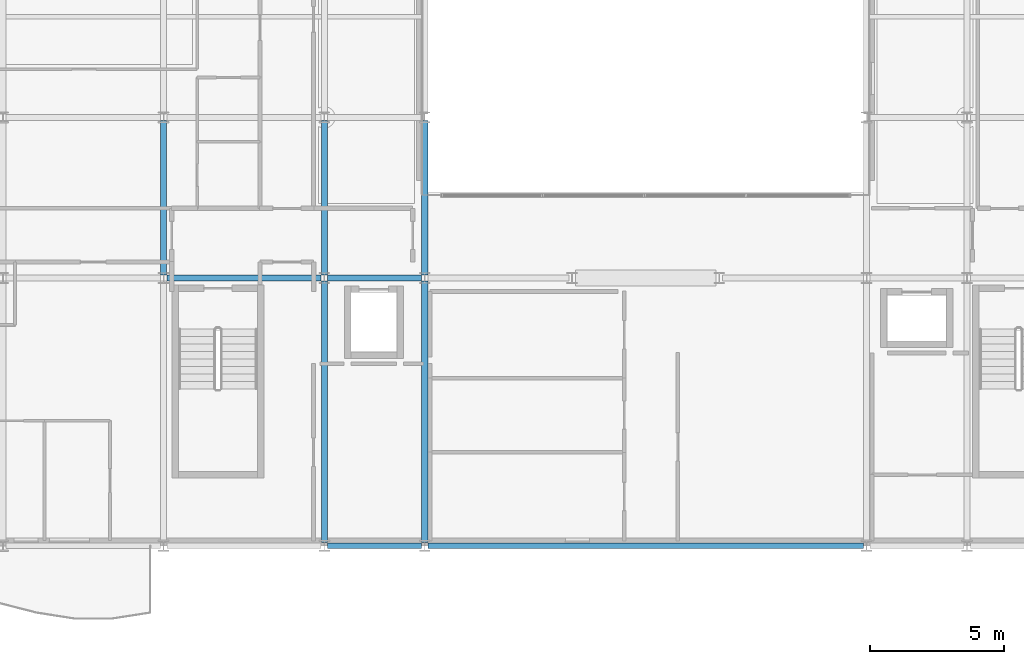
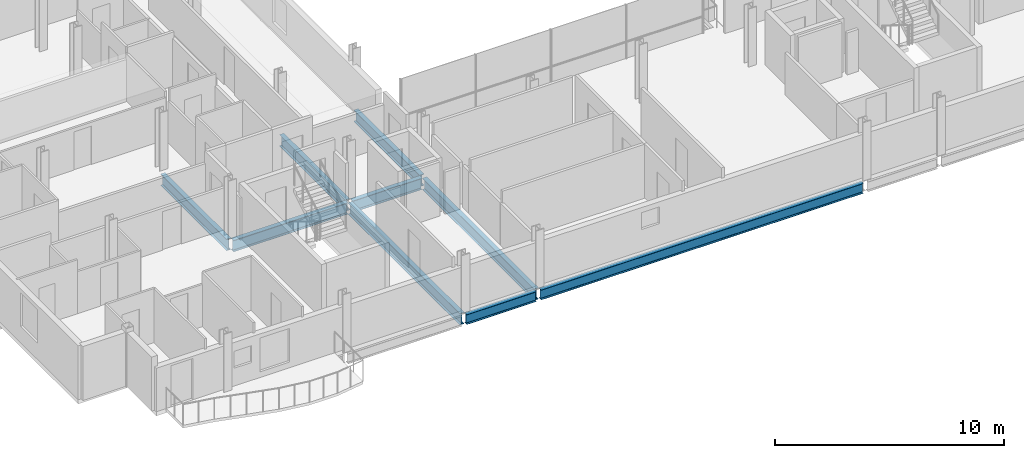
# One storey, part 5 of 41: 9 beams.
"""IFC4 building model written with IfcOpenShell, lengths in metres."""

from ifc_helpers import new_model, si_unit, direction, frame, origin, origin_2d, place, context, subcontext, project, spatial, i_section, extrude, material, material_profile, profile_set, type_object, element, save


model = new_model("IFC4")

# Units and contexts
model_context = context("Model", 3, precision=1e-05, world=origin(), true_north=direction((0.0, 1.0)))
body_context = subcontext(model_context, "Body", "Model", "MODEL_VIEW")
ifc_project = project(units=[si_unit("LENGTHUNIT", "METRE"), si_unit("AREAUNIT", "SQUARE_METRE"), si_unit("VOLUMEUNIT", "CUBIC_METRE"), si_unit("PLANEANGLEUNIT", "RADIAN"), si_unit("MASSUNIT", "GRAM", prefix="KILO")], contexts=[model_context])

# Site, building, storey
site_placement = place(None, origin())
site = spatial("IfcSite", under=ifc_project, at=site_placement, CompositionType="ELEMENT")
building_placement = place(site_placement, origin())
building = spatial("IfcBuilding", under=site, at=building_placement, Name="Brevholm Reach", CompositionType="ELEMENT")
storey_placement = place(building_placement, frame((0.0, 0.0, 163.5)))
storey = spatial("IfcBuildingStorey", under=building, at=storey_placement, Name="L49", CompositionType="ELEMENT", Elevation=163.5)

# Beams
ifc_material_1 = material(Name="Structural Steel S355J2", Category="steel")
ifc_material_profile_1 = material_profile(ifc_material_1, i_section(OverallWidth=0.209228515625, OverallDepth=0.533203125, WebThickness=0.010009765625, FlangeThickness=0.015625, FilletRadius=0.0126953125, at=origin_2d()), Name="UKB 533x210x92")
ifc_profile_set_1 = profile_set([ifc_material_profile_1], Name="Structural Steel S355J2")
beam_type_1 = type_object("IfcBeamType", Name="BM-SP533", PredefinedType="SPANDREL", material=ifc_profile_set_1)
beam_1_placement = place(storey_placement, frame((18.1201171875, 0.0, -0.486572265625), z_axis=(1.0, 0.0, 0.0), x_axis=(0.0, 1.0, 0.0)))
element("IfcBeam", 1, at=beam_1_placement, inside=storey, type_object=beam_type_1, Name="L49 SP-02 Framing Beam", PredefinedType="SPANDREL", context=body_context, shape_type="SweptSolid", body=[
    extrude(i_section(OverallWidth=0.209228515625, OverallDepth=0.533203125, WebThickness=0.010009765625, FlangeThickness=0.015625, FilletRadius=0.0126953125, at=origin_2d()), origin(), (0.0, 0.0, 1.0), 3.509765625),
])
beam_2_placement = place(storey_placement, frame((21.8701171875, 0.0, -0.486572265625), z_axis=(1.0, 0.0, 0.0), x_axis=(0.0, 1.0, 0.0)))
element("IfcBeam", 2, at=beam_2_placement, inside=storey, type_object=beam_type_1, Name="L49 SP-02 Framing Beam", PredefinedType="SPANDREL", context=body_context, shape_type="SweptSolid", body=[
    extrude(i_section(OverallWidth=0.209228515625, OverallDepth=0.533203125, WebThickness=0.010009765625, FlangeThickness=0.015625, FilletRadius=0.0126953125, at=origin_2d()), origin(), (0.0, 0.0, 1.0), 16.259765625),
])
ifc_material_2 = material(Name="Structural Steel S355J2", Category="steel")
ifc_material_profile_2 = material_profile(ifc_material_2, i_section(OverallWidth=0.22900390625, OverallDepth=0.6123046875, WebThickness=0.011962890625, FlangeThickness=0.01953125, FilletRadius=0.0126953125, at=origin_2d()), Name="UKB 610x229x125")
ifc_profile_set_2 = profile_set([ifc_material_profile_2], Name="Structural Steel S355J2")
beam_type_2 = type_object("IfcBeamType", Name="BM-SP610", PredefinedType="SPANDREL", material=ifc_profile_set_2)
beam_3_placement = place(storey_placement, frame((12.1201171875, 10.0, -0.526123046875), z_axis=(1.0, 0.0, 0.0), x_axis=(0.0, 1.0, 0.0)))
element("IfcBeam", 3, at=beam_3_placement, inside=storey, type_object=beam_type_2, Name="L49 SP-01 Framing Beam", PredefinedType="SPANDREL", context=body_context, shape_type="SweptSolid", body=[
    extrude(i_section(OverallWidth=0.22900390625, OverallDepth=0.6123046875, WebThickness=0.011962890625, FlangeThickness=0.01953125, FilletRadius=0.0126953125, at=origin_2d()), origin(), (0.0, 0.0, 1.0), 5.759765625),
])
beam_4_placement = place(storey_placement, frame((18.1201171875, 10.0, -0.526123046875), z_axis=(1.0, 0.0, 0.0), x_axis=(0.0, 1.0, 0.0)))
element("IfcBeam", 4, at=beam_4_placement, inside=storey, type_object=beam_type_2, Name="L49 SP-01 Framing Beam", PredefinedType="SPANDREL", context=body_context, shape_type="SweptSolid", body=[
    extrude(i_section(OverallWidth=0.22900390625, OverallDepth=0.6123046875, WebThickness=0.011962890625, FlangeThickness=0.01953125, FilletRadius=0.0126953125, at=origin_2d()), origin(), (0.0, 0.0, 1.0), 3.509765625),
])
beam_5_placement = place(storey_placement, frame((12.0, 10.1201171875, -0.526123046875), z_axis=(0.0, 1.0, 0.0), x_axis=(-1.0, 0.0, 0.0)))
element("IfcBeam", 5, at=beam_5_placement, inside=storey, type_object=beam_type_2, Name="L49 SP-01 Framing Beam", PredefinedType="SPANDREL", context=body_context, shape_type="SweptSolid", body=[
    extrude(i_section(OverallWidth=0.22900390625, OverallDepth=0.6123046875, WebThickness=0.011962890625, FlangeThickness=0.01953125, FilletRadius=0.0126953125, at=origin_2d()), origin(), (0.0, 0.0, 1.0), 5.759765625),
])
beam_6_placement = place(storey_placement, frame((18.0, 0.1201171875, -0.526123046875), z_axis=(0.0, 1.0, 0.0), x_axis=(-1.0, 0.0, 0.0)))
element("IfcBeam", 6, at=beam_6_placement, inside=storey, type_object=beam_type_2, Name="L49 SP-01 Framing Beam", PredefinedType="SPANDREL", context=body_context, shape_type="SweptSolid", body=[
    extrude(i_section(OverallWidth=0.22900390625, OverallDepth=0.6123046875, WebThickness=0.011962890625, FlangeThickness=0.01953125, FilletRadius=0.0126953125, at=origin_2d()), origin(), (0.0, 0.0, 1.0), 9.759765625),
])
beam_7_placement = place(storey_placement, frame((18.0, 10.1201171875, -0.526123046875), z_axis=(0.0, 1.0, 0.0), x_axis=(-1.0, 0.0, 0.0)))
element("IfcBeam", 7, at=beam_7_placement, inside=storey, type_object=beam_type_2, Name="L49 SP-01 Framing Beam", PredefinedType="SPANDREL", context=body_context, shape_type="SweptSolid", body=[
    extrude(i_section(OverallWidth=0.22900390625, OverallDepth=0.6123046875, WebThickness=0.011962890625, FlangeThickness=0.01953125, FilletRadius=0.0126953125, at=origin_2d()), origin(), (0.0, 0.0, 1.0), 5.759765625),
])
beam_8_placement = place(storey_placement, frame((21.75, 0.1201171875, -0.526123046875), z_axis=(0.0, 1.0, 0.0), x_axis=(-1.0, 0.0, 0.0)))
element("IfcBeam", 8, at=beam_8_placement, inside=storey, type_object=beam_type_2, Name="L49 SP-01 Framing Beam", PredefinedType="SPANDREL", context=body_context, shape_type="SweptSolid", body=[
    extrude(i_section(OverallWidth=0.22900390625, OverallDepth=0.6123046875, WebThickness=0.011962890625, FlangeThickness=0.01953125, FilletRadius=0.0126953125, at=origin_2d()), origin(), (0.0, 0.0, 1.0), 9.759765625),
])
beam_9_placement = place(storey_placement, frame((21.75, 10.1201171875, -0.526123046875), z_axis=(0.0, 1.0, 0.0), x_axis=(-1.0, 0.0, 0.0)))
element("IfcBeam", 9, at=beam_9_placement, inside=storey, type_object=beam_type_2, Name="L49 SP-01 Framing Beam", PredefinedType="SPANDREL", context=body_context, shape_type="SweptSolid", body=[
    extrude(i_section(OverallWidth=0.22900390625, OverallDepth=0.6123046875, WebThickness=0.011962890625, FlangeThickness=0.01953125, FilletRadius=0.0126953125, at=origin_2d()), origin(), (0.0, 0.0, 1.0), 5.759765625),
])

save(model, "model.ifc")
